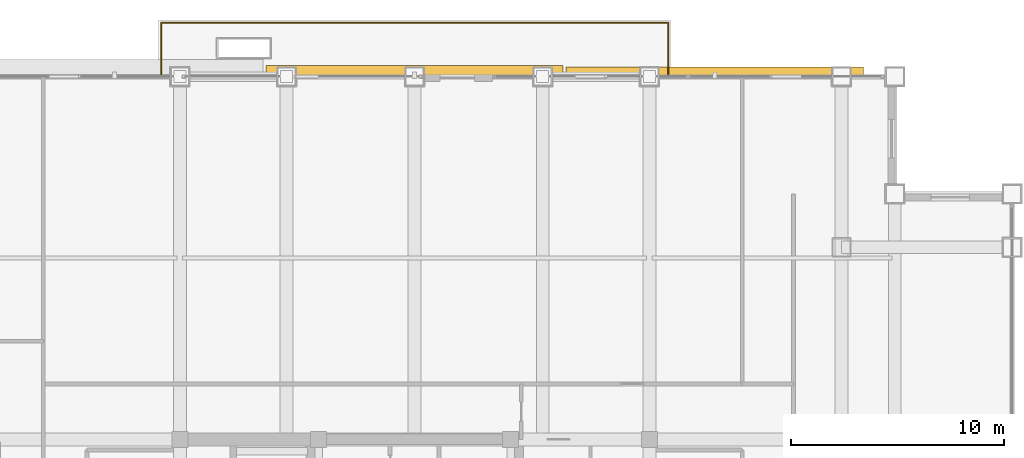
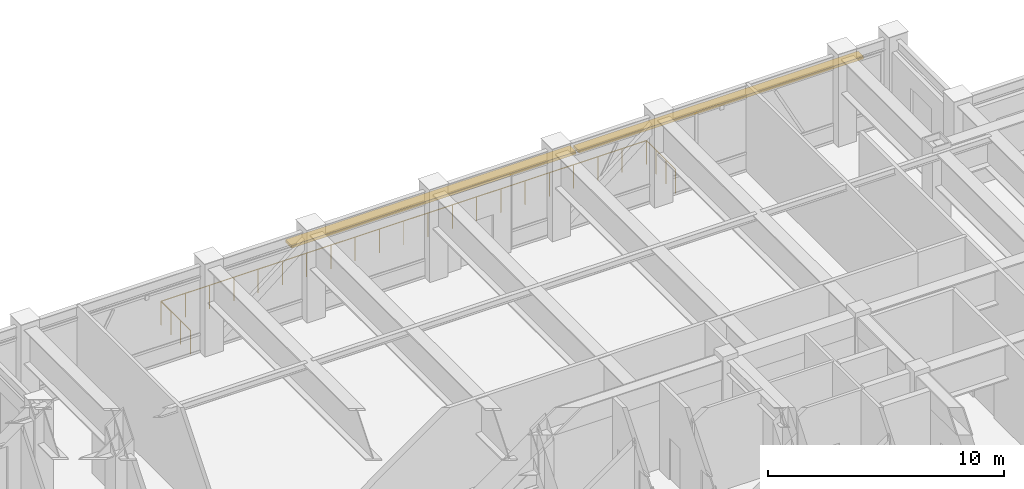
# One storey, part 31 of 31: 2 shading devices, 1 railing.
"""IFC4 building model written with IfcOpenShell, lengths in metres."""

from ifc_helpers import new_model, si_unit, direction, frame, origin, origin_2d, place, context, subcontext, project, spatial, rectangle, circle, extrude, source, transform, mapped, material, layer, layer_set, type_object, element, save


model = new_model("IFC4")

# Units and contexts
model_context = context("Model", 3, precision=1e-05, world=origin(), true_north=direction((0.0, 1.0)))
body_context = subcontext(model_context, "Body", "Model", "MODEL_VIEW")
ifc_project = project(units=[si_unit("LENGTHUNIT", "METRE"), si_unit("AREAUNIT", "SQUARE_METRE"), si_unit("VOLUMEUNIT", "CUBIC_METRE"), si_unit("PLANEANGLEUNIT", "RADIAN"), si_unit("MASSUNIT", "GRAM", prefix="KILO")], contexts=[model_context])

# Site, building, storey
site_placement = place(None, origin())
site = spatial("IfcSite", under=ifc_project, at=site_placement, CompositionType="ELEMENT")
building_placement = place(site_placement, origin())
building = spatial("IfcBuilding", under=site, at=building_placement, Name="Khorayat Bourse Tower", CompositionType="ELEMENT")
storey_placement = place(building_placement, frame((0.0, 0.0, 321.5)))
storey = spatial("IfcBuildingStorey", under=building, at=storey_placement, Name="L76", CompositionType="ELEMENT", Elevation=321.5)

# Railing
ifc_material_1 = material(Name="Laminated glass and bronze balustrade", Category="glass")
railing_type = type_object("IfcRailingType", Name="RLG-TERR-1250", PredefinedType="GUARDRAIL", material=ifc_material_1)
shared_shape_1 = source(origin(), body_context, "Body", "SweptSolid", [
    extrude(circle(Radius=0.02392578125, at=origin_2d()), frame((0.0, 0.0, 1.22607421875), z_axis=(0.0, 1.0, 0.0), x_axis=(-1.0, 0.0, 0.0)), (0.0, 0.0, 1.0), 2.47998046875),
    extrude(circle(Radius=0.02392578125, at=origin_2d()), frame((0.0, 2.47998046875, 1.22607421875), z_axis=(1.0, 0.0, 0.0), x_axis=(0.0, 1.0, 0.0)), (0.0, 0.0, 1.0), 23.759765625),
    extrude(circle(Radius=0.02392578125, at=origin_2d()), frame((23.759765625, 2.47998046875, 1.22607421875), z_axis=(0.0, -1.0, 0.0), x_axis=(1.0, 0.0, 0.0)), (0.0, 0.0, 1.0), 2.47998046875),
    extrude(circle(Radius=0.02099609375, at=origin_2d()), origin(), (0.0, 0.0, 1.0), 1.201904296875),
    extrude(circle(Radius=0.02099609375, at=origin_2d()), frame((0.0, 0.82666015625, 0.0)), (0.0, 0.0, 1.0), 1.201904296875),
    extrude(circle(Radius=0.02099609375, at=origin_2d()), frame((0.0, 1.6533203125, 0.0)), (0.0, 0.0, 1.0), 1.201904296875),
    extrude(circle(Radius=0.02099609375, at=origin_2d()), frame((0.0, 2.47998046875, 0.0)), (0.0, 0.0, 1.0), 1.201904296875),
    extrude(circle(Radius=0.02099609375, at=origin_2d()), frame((1.18798828125, 2.47998046875, 0.0)), (0.0, 0.0, 1.0), 1.201904296875),
    extrude(circle(Radius=0.02099609375, at=origin_2d()), frame((2.3759765625, 2.47998046875, 0.0)), (0.0, 0.0, 1.0), 1.201904296875),
    extrude(circle(Radius=0.02099609375, at=origin_2d()), frame((3.56396484375, 2.47998046875, 0.0)), (0.0, 0.0, 1.0), 1.201904296875),
    extrude(circle(Radius=0.02099609375, at=origin_2d()), frame((4.751953125, 2.47998046875, 0.0)), (0.0, 0.0, 1.0), 1.201904296875),
    extrude(circle(Radius=0.02099609375, at=origin_2d()), frame((5.93994140625, 2.47998046875, 0.0)), (0.0, 0.0, 1.0), 1.201904296875),
    extrude(circle(Radius=0.02099609375, at=origin_2d()), frame((7.1279296875, 2.47998046875, 0.0)), (0.0, 0.0, 1.0), 1.201904296875),
    extrude(circle(Radius=0.02099609375, at=origin_2d()), frame((8.31591796875, 2.47998046875, 0.0)), (0.0, 0.0, 1.0), 1.201904296875),
    extrude(circle(Radius=0.02099609375, at=origin_2d()), frame((9.50390625, 2.47998046875, 0.0)), (0.0, 0.0, 1.0), 1.201904296875),
    extrude(circle(Radius=0.02099609375, at=origin_2d()), frame((10.69189453125, 2.47998046875, 0.0)), (0.0, 0.0, 1.0), 1.201904296875),
    extrude(circle(Radius=0.02099609375, at=origin_2d()), frame((11.8798828125, 2.47998046875, 0.0)), (0.0, 0.0, 1.0), 1.201904296875),
    extrude(circle(Radius=0.02099609375, at=origin_2d()), frame((13.06787109375, 2.47998046875, 0.0)), (0.0, 0.0, 1.0), 1.201904296875),
    extrude(circle(Radius=0.02099609375, at=origin_2d()), frame((14.255859375, 2.47998046875, 0.0)), (0.0, 0.0, 1.0), 1.201904296875),
    extrude(circle(Radius=0.02099609375, at=origin_2d()), frame((15.44384765625, 2.47998046875, 0.0)), (0.0, 0.0, 1.0), 1.201904296875),
    extrude(circle(Radius=0.02099609375, at=origin_2d()), frame((16.6318359375, 2.47998046875, 0.0)), (0.0, 0.0, 1.0), 1.201904296875),
    extrude(circle(Radius=0.02099609375, at=origin_2d()), frame((17.81982421875, 2.47998046875, 0.0)), (0.0, 0.0, 1.0), 1.201904296875),
    extrude(circle(Radius=0.02099609375, at=origin_2d()), frame((19.0078125, 2.47998046875, 0.0)), (0.0, 0.0, 1.0), 1.201904296875),
    extrude(circle(Radius=0.02099609375, at=origin_2d()), frame((20.19580078125, 2.47998046875, 0.0)), (0.0, 0.0, 1.0), 1.201904296875),
    extrude(circle(Radius=0.02099609375, at=origin_2d()), frame((21.3837890625, 2.47998046875, 0.0)), (0.0, 0.0, 1.0), 1.201904296875),
    extrude(circle(Radius=0.02099609375, at=origin_2d()), frame((22.57177734375, 2.47998046875, 0.0)), (0.0, 0.0, 1.0), 1.201904296875),
    extrude(circle(Radius=0.02099609375, at=origin_2d()), frame((23.759765625, 2.47998046875, 0.0)), (0.0, 0.0, 1.0), 1.201904296875),
    extrude(circle(Radius=0.02099609375, at=origin_2d()), frame((23.759765625, 1.6533203125, 0.0)), (0.0, 0.0, 1.0), 1.201904296875),
    extrude(circle(Radius=0.02099609375, at=origin_2d()), frame((23.759765625, 0.82666015625, 0.0)), (0.0, 0.0, 1.0), 1.201904296875),
    extrude(circle(Radius=0.02099609375, at=origin_2d()), frame((23.759765625, 0.0, 0.0)), (0.0, 0.0, 1.0), 1.201904296875),
])
railing_placement = place(storey_placement, frame((-11.8798828125, 28.050048828125, 0.0)))
element("IfcRailing", 1, at=railing_placement, inside=storey, type_object=railing_type, Name="L76 North Sky Garden Guardrail", PredefinedType="GUARDRAIL", context=body_context, shape_type="MappedRepresentation", body=[
    mapped(shared_shape_1, transform((0.0, 0.0, 0.0), scale=1.0)),
])

# Shading devices
ifc_material_2 = material(Name="Precast concrete C45/55", Category="concrete")
ifc_layer = layer(ifc_material_2, 0.139892578125)
ifc_layer_set = layer_set([ifc_layer], Name="Precast concrete C45/55")
shading_device_type = type_object("IfcShadingDeviceType", Name="SHD-WAVE-TRAY-A", PredefinedType="USERDEFINED", material=ifc_layer_set)
shared_shape_2 = source(origin(), body_context, "Body", "SweptSolid", [
    extrude(rectangle(XDim=13.9267578125, YDim=0.530029296875, at=origin_2d()), origin(), (0.0, 0.0, 1.0), 0.139892578125),
])
shading_device_1_placement = place(storey_placement, frame((0.0, 28.2451171875, 3.7900390625), z_axis=(0.0, 0.0, 1.0), x_axis=(1.0, 0.0, 0.0)))
element("IfcShadingDevice", 2, at=shading_device_1_placement, inside=storey, type_object=shading_device_type, Name="L76 Sinusoidal Wave Sunshade Tray N-2", ObjectType="SUNSHADE", PredefinedType="USERDEFINED", context=body_context, shape_type="MappedRepresentation", body=[
    mapped(shared_shape_2, transform((0.0, 0.0, 0.0), scale=1.0)),
])
shared_shape_3 = source(origin(), body_context, "Body", "SweptSolid", [
    extrude(rectangle(XDim=13.9267578125, YDim=0.456787109375, at=origin_2d()), origin(), (0.0, 0.0, 1.0), 0.139892578125),
])
shading_device_2_placement = place(storey_placement, frame((14.066650390625, 28.20849609375, 3.7900390625), z_axis=(0.0, 0.0, 1.0), x_axis=(1.0, 0.0, 0.0)))
element("IfcShadingDevice", 3, at=shading_device_2_placement, inside=storey, type_object=shading_device_type, Name="L76 Sinusoidal Wave Sunshade Tray N-3", ObjectType="SUNSHADE", PredefinedType="USERDEFINED", context=body_context, shape_type="MappedRepresentation", body=[
    mapped(shared_shape_3, transform((0.0, 0.0, 0.0), scale=1.0)),
])

save(model, "model.ifc")
